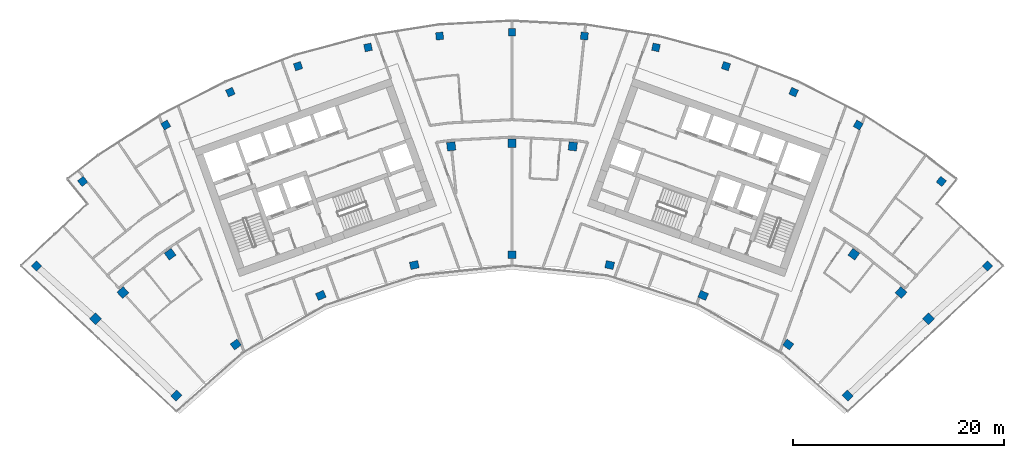
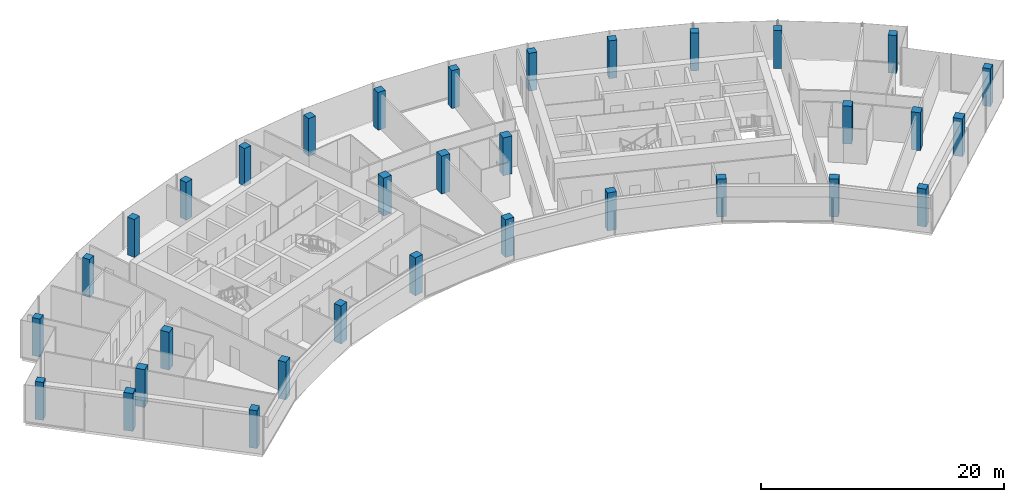
# One storey, part 1 of 18: 33 columns.
"""IFC4 building model written with IfcOpenShell, lengths in metres."""

from ifc_helpers import new_model, si_unit, direction, frame, origin, origin_2d, place, context, subcontext, project, spatial, rectangle, extrude, material, material_profile, profile_set, type_object, element, save


model = new_model("IFC4")

# Units and contexts
model_context = context("Model", 3, precision=1e-05, world=origin(), true_north=direction((0.0, 1.0)))
body_context = subcontext(model_context, "Body", "Model", "MODEL_VIEW")
ifc_project = project(units=[si_unit("LENGTHUNIT", "METRE"), si_unit("AREAUNIT", "SQUARE_METRE"), si_unit("VOLUMEUNIT", "CUBIC_METRE"), si_unit("PLANEANGLEUNIT", "RADIAN"), si_unit("MASSUNIT", "GRAM", prefix="KILO")], contexts=[model_context])

# Site, building, storey
site_placement = place(None, origin())
site = spatial("IfcSite", under=ifc_project, at=site_placement, CompositionType="ELEMENT")
building_placement = place(site_placement, origin())
building = spatial("IfcBuilding", under=site, at=building_placement, Name="Stone Belt Terrace Tower", CompositionType="ELEMENT")
storey_placement = place(building_placement, frame((0.0, 0.0, 299.800048828125)))
storey = spatial("IfcBuildingStorey", under=building, at=storey_placement, Name="L73", CompositionType="ELEMENT", Elevation=299.800048828125)

# Columns
ifc_material = material(Name="Concrete B60", Category="concrete")
ifc_material_profile_1 = material_profile(ifc_material, rectangle(XDim=0.699951171875, YDim=0.699951171875, at=origin_2d()), Name="RC 700x700")
ifc_profile_set_1 = profile_set([ifc_material_profile_1], Name="Concrete B60")
column_type_1 = type_object("IfcColumnType", Name="Column RC 700x700 B60", PredefinedType="COLUMN", material=ifc_profile_set_1)
for number, where, z_axis, x_axis, name in (
    (1, (-44.97705078125, 43.381103515625, 0.0), (0.0, 0.0, 1.0), (0.694221333646, 0.719761585465, 0.0), "Column L73 RA"),
    (2, (44.97705078125, 43.381103515625, 0.0), (0.0, 0.0, 1.0), (0.694221333646, -0.719761585465, 0.0), "Column L73 RB"),
    (3, (-40.605712890625, 51.380615234375, 0.0), (0.0, 0.0, 1.0), (0.784569718703, 0.620040608746, 0.0), "Column L73 RNA"),
    (4, (-32.744384765625, 56.715087890625, 0.0), (0.0, 0.0, 1.0), (0.866025403784, 0.5, 0.0), "Column L73 R17"),
    (5, (-26.63671875, 59.8271484375, 0.0), (0.0, 0.0, 1.0), (0.913545457643, 0.406736643076, 0.0), "Column L73 R18"),
    (6, (-20.2373046875, 62.28369140625, 0.0), (0.0, 0.0, 1.0), (0.951056516295, 0.309016994375, 0.0), "Column L73 R19"),
    (7, (-13.615966796875, 64.057861328125, 0.0), (0.0, 0.0, 1.0), (0.978147600734, 0.207911690818, 0.0), "Column L73 R20"),
    (8, (-6.845458984375, 65.130126953125, 0.0), (0.0, 0.0, 1.0), (0.994521895368, 0.104528463268, 0.0), "Column L73 R21"),
    (9, (0.0, 65.489013671875, 0.0), (0.0, 0.0, 1.0), (1.0, 0.0, 0.0), "Column L73 R22"),
    (10, (6.845458984375, 65.130126953125, 0.0), (0.0, 0.0, 1.0), (0.994521895368, -0.104528463268, 0.0), "Column L73 R23"),
    (11, (13.615966796875, 64.057861328125, 0.0), (0.0, 0.0, 1.0), (0.978147600734, -0.207911690818, 0.0), "Column L73 R24"),
    (12, (20.2373046875, 62.28369140625, 0.0), (0.0, 0.0, 1.0), (0.951056516295, -0.309016994375, 0.0), "Column L73 R25"),
    (13, (26.63671875, 59.8271484375, 0.0), (0.0, 0.0, 1.0), (0.913545457643, -0.406736643076, 0.0), "Column L73 R26"),
    (14, (32.744384765625, 56.715087890625, 0.0), (0.0, 0.0, 1.0), (0.866025403784, -0.5, 0.0), "Column L73 R27"),
    (15, (40.605712890625, 51.380615234375, 0.0), (0.0, 0.0, 1.0), (0.784569718703, -0.620040608746, 0.0), "Column L73 RNB"),
):
    element("IfcColumn", number, at=place(storey_placement, frame(where, z_axis=z_axis, x_axis=x_axis)), inside=storey, type_object=column_type_1, Name=name, PredefinedType="COLUMN", context=body_context, shape_type="SweptSolid", body=[
        extrude(rectangle(XDim=0.699951171875, YDim=0.699951171875, at=origin_2d()), origin(), (0.0, 0.0, 1.0), 3.800048828125),
    ])
ifc_material_profile_2 = material_profile(ifc_material, rectangle(XDim=0.800048828125, YDim=0.699951171875, at=origin_2d()), Name="RC 800x700")
ifc_profile_set_2 = profile_set([ifc_material_profile_2], Name="Concrete B60")
column_type_2 = type_object("IfcColumnType", Name="Column RC 800x700 B60", PredefinedType="COLUMN", material=ifc_profile_set_2)
for number, where, z_axis, x_axis, name in (
    (16, (-31.73486328125, 31.11669921875, 0.0), (0.0, 0.0, 1.0), (0.700119596097, 0.714025595592, 0.0), "Column L73 PA"),
    (17, (-26.1240234375, 35.956787109375, 0.0), (0.0, 0.0, 1.0), (0.809016994375, 0.587785252292, 0.0), "Column L73 P16"),
    (18, (-18.077392578125, 40.6025390625, 0.0), (0.0, 0.0, 1.0), (0.913545457643, 0.406736643076, 0.0), "Column L73 P18"),
    (19, (-9.240478515625, 43.473876953125, 0.0), (0.0, 0.0, 1.0), (0.978147600734, 0.207911690818, 0.0), "Column L73 P20"),
    (20, (0.0, 44.445068359375, 0.0), (0.0, 0.0, 1.0), (1.0, 0.0, 0.0), "Column L73 P22"),
    (21, (9.240478515625, 43.473876953125, 0.0), (0.0, 0.0, 1.0), (0.978147600734, -0.207911690818, 0.0), "Column L73 P24"),
    (22, (18.077392578125, 40.6025390625, 0.0), (0.0, 0.0, 1.0), (0.913545457643, -0.406736643076, 0.0), "Column L73 P26"),
    (23, (26.1240234375, 35.956787109375, 0.0), (0.0, 0.0, 1.0), (0.809016994375, -0.587785252292, 0.0), "Column L73 P28"),
    (24, (31.73486328125, 31.11669921875, 0.0), (0.0, 0.0, 1.0), (0.700119596097, -0.714025595592, 0.0), "Column L73 PB"),
):
    element("IfcColumn", number, at=place(storey_placement, frame(where, z_axis=z_axis, x_axis=x_axis)), inside=storey, type_object=column_type_2, Name=name, PredefinedType="COLUMN", context=body_context, shape_type="SweptSolid", body=[
        extrude(rectangle(XDim=0.800048828125, YDim=0.699951171875, at=origin_2d()), origin(), (0.0, 0.0, 1.0), 3.800048828125),
    ])
ifc_material_profile_3 = material_profile(ifc_material, rectangle(XDim=0.800048828125, YDim=0.800048828125, at=origin_2d()), Name="RC 800x800")
ifc_profile_set_3 = profile_set([ifc_material_profile_3], Name="Concrete B60")
column_type_3 = type_object("IfcColumnType", Name="Column RC 800x800 B60", PredefinedType="COLUMN", material=ifc_profile_set_3)
for number, where, z_axis, x_axis, name in (
    (25, (-39.38818359375, 38.386962890625, 0.0), (0.0, 0.0, 1.0), (0.697944216238, 0.716152128406, 0.0), "Column L73 QA"),
    (26, (-36.80224609375, 40.873046875, 0.0), (0.0, 0.0, 1.0), (0.743144825477, 0.669130606359, 0.0), "Column L73 Q15"),
    (27, (-32.328125, 44.495849609375, 0.0), (0.0, 0.0, 1.0), (0.809016994375, 0.587785252292, 0.0), "Column L73 Q16"),
    (28, (-5.7490234375, 54.69873046875, 0.0), (0.0, 0.0, 1.0), (0.994521895368, 0.104528463268, 0.0), "Column L73 Q21"),
    (29, (0.0, 55.0, 0.0), (0.0, 0.0, 1.0), (1.0, 0.0, 0.0), "Column L73 Q22"),
    (30, (5.7490234375, 54.69873046875, 0.0), (0.0, 0.0, 1.0), (0.994521895368, -0.104528463268, 0.0), "Column L73 Q23"),
    (31, (32.328125, 44.495849609375, 0.0), (0.0, 0.0, 1.0), (0.809016994375, -0.587785252292, 0.0), "Column L73 Q28"),
    (32, (36.80224609375, 40.873046875, 0.0), (0.0, 0.0, 1.0), (0.743144825477, -0.669130606359, 0.0), "Column L73 Q29"),
    (33, (39.38818359375, 38.386962890625, 0.0), (0.0, 0.0, 1.0), (0.697944216238, -0.716152128406, 0.0), "Column L73 QB"),
):
    element("IfcColumn", number, at=place(storey_placement, frame(where, z_axis=z_axis, x_axis=x_axis)), inside=storey, type_object=column_type_3, Name=name, PredefinedType="COLUMN", context=body_context, shape_type="SweptSolid", body=[
        extrude(rectangle(XDim=0.800048828125, YDim=0.800048828125, at=origin_2d()), origin(), (0.0, 0.0, 1.0), 3.800048828125),
    ])

save(model, "model.ifc")
